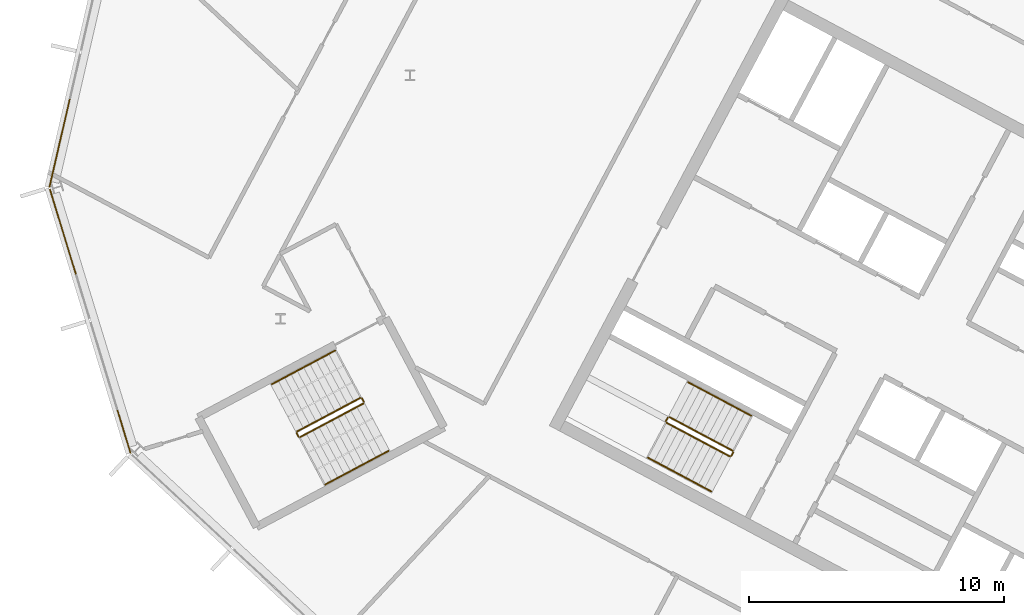
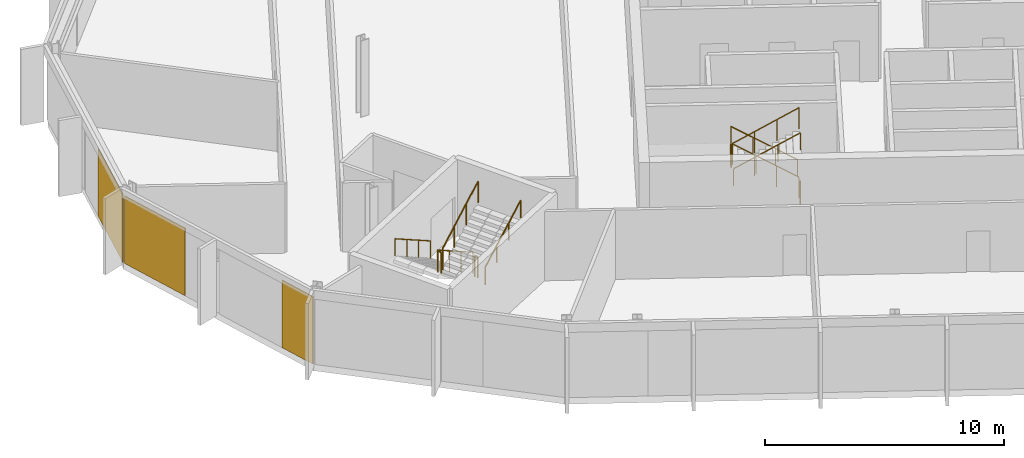
# One storey, part 20 of 25: 12 railings, 3 coverings, 2 elements without a shape of their own.
"""IFC4 building model written with IfcOpenShell, lengths in metres."""

from ifc_helpers import new_model, si_unit, direction, frame, origin, origin_2d, place, context, subcontext, project, spatial, polyline, rectangle, outline, extrude, material, layer, layer_set, type_object, element, aggregate, save


model = new_model("IFC4")

# Units and contexts
model_context = context("Model", 3, precision=1e-05, world=origin(), true_north=direction((0.0, 1.0)))
body_context = subcontext(model_context, "Body", "Model", "MODEL_VIEW")
ifc_project = project(units=[si_unit("LENGTHUNIT", "METRE"), si_unit("AREAUNIT", "SQUARE_METRE"), si_unit("VOLUMEUNIT", "CUBIC_METRE"), si_unit("PLANEANGLEUNIT", "RADIAN"), si_unit("MASSUNIT", "GRAM", prefix="KILO")], contexts=[model_context])

# Site, building, storey
site_placement = place(None, origin())
site = spatial("IfcSite", under=ifc_project, at=site_placement, CompositionType="ELEMENT")
building_placement = place(site_placement, origin())
building = spatial("IfcBuilding", under=site, at=building_placement, Name="Cormorant Relay Tower", CompositionType="ELEMENT")
storey_placement = place(building_placement, frame((0.0, 0.0, 265.800048828125)))
storey = spatial("IfcBuildingStorey", under=building, at=storey_placement, Name="L59", CompositionType="ELEMENT", Elevation=265.800048828125)

# Curtain wall, covering
ifc_material_1 = material(Name="Aluminium 6063-T6 anodised bronze", Category="aluminium")
ifc_layer_1 = layer(ifc_material_1, 0.199951171875)
ifc_layer_set_1 = layer_set([ifc_layer_1], Name="CW1 unitised bronze curtain wall with vertical fins")
curtain_wall_type = type_object("IfcCurtainWallType", Name="CW1 unitised bronze curtain wall with vertical fins", PredefinedType="NOTDEFINED", material=ifc_layer_set_1)
curtain_wall_1_placement = place(storey_placement, origin())
curtain_wall_1 = element("IfcCurtainWall", 1, at=curtain_wall_1_placement, inside=storey, type_object=curtain_wall_type, Name="CW1 curtain wall 13", PredefinedType="NOTDEFINED")
ifc_material_2 = material(Name="Pale bronze anodised aluminium insulated panel", Category="aluminium")
ifc_layer_2 = layer(ifc_material_2, 0.0400390625)
ifc_layer_set_2 = layer_set([ifc_layer_2], Name="CW1 pale bronze insulated panel 40")
covering_type = type_object("IfcCoveringType", Name="CW1 pale bronze insulated panel 40", PredefinedType="CLADDING", material=ifc_layer_set_2)
covering_1_placement = place(storey_placement, frame((-60.3388671875, 22.13232421875, 0.0), z_axis=(0.0, 0.0, 1.0), x_axis=(-0.224951054344, -0.974370064785, 0.0)))
covering_1 = element("IfcCovering", 2, at=covering_1_placement, type_object=covering_type, Name="CW1 panel S02", PredefinedType="CLADDING", context=body_context, shape_type="SweptSolid", body=[
    extrude(rectangle(XDim=3.560302734375, YDim=0.0400390625, at=origin_2d()), origin(), (0.0, 0.0, 1.0), 3.449951171875),
])
aggregate(curtain_wall_1, [covering_1])

# Curtain wall, coverings
curtain_wall_2_placement = place(storey_placement, origin())
curtain_wall_2 = element("IfcCurtainWall", 3, at=curtain_wall_2_placement, inside=storey, type_object=curtain_wall_type, Name="CW1 curtain wall 14", PredefinedType="NOTDEFINED")
covering_2_placement = place(storey_placement, frame((-60.20751953125, 18.6494140625, 0.0), z_axis=(0.0, 0.0, 1.0), x_axis=(0.292371704723, -0.956304755963, 0.0)))
covering_2 = element("IfcCovering", 4, at=covering_2_placement, type_object=covering_type, Name="CW1 panel S00", PredefinedType="CLADDING", context=body_context, shape_type="SweptSolid", body=[
    extrude(rectangle(XDim=3.485107421875, YDim=0.0400390625, at=origin_2d()), origin(), (0.0, 0.0, 1.0), 3.449951171875),
])
covering_3_placement = place(storey_placement, frame((-57.818115234375, 10.833740234375, 0.0), z_axis=(0.0, 0.0, 1.0), x_axis=(0.292371704723, -0.956304755963, 0.0)))
covering_3 = element("IfcCovering", 5, at=covering_3_placement, type_object=covering_type, Name="CW1 panel S03", PredefinedType="CLADDING", context=body_context, shape_type="SweptSolid", body=[
    extrude(rectangle(XDim=1.76025390625, YDim=0.0400390625, at=origin_2d()), origin(), (0.0, 0.0, 1.0), 3.449951171875),
])
aggregate(curtain_wall_2, [covering_2, covering_3])

# Railings
ifc_material_3 = material(Name="Steel ASTM A572 Grade 50 (Fy 345 MPa)", Category="steel")
railing_type_1 = type_object("IfcRailingType", Name="Stair guard 1100", PredefinedType="GUARDRAIL", material=ifc_material_3)
railing_1_placement = place(storey_placement, frame((-33.9921875, 10.08935546875, 0.17724609375)))
element("IfcRailing", 6, at=railing_1_placement, inside=storey, type_object=railing_type_1, Name="L59 A2 stair guard 1", PredefinedType="GUARDRAIL", context=body_context, shape_type="SweptSolid", body=[
    extrude(outline(polyline([(0.022216796875, 0.00927734375), (0.00927734375, 0.022216796875), (-0.00927734375, 0.022216796875), (-0.022216796875, 0.00927734375), (-0.022216796875, -0.00927734375), (-0.00927734375, -0.022216796875), (0.00927734375, -0.022216796875), (0.022216796875, -0.00927734375), (0.022216796875, 0.00927734375)])), frame((0.0, 0.0, 1.076171875), z_axis=(-0.746001213114, 0.396649272309, 0.534931345884), x_axis=(-0.469465464807, -0.882950835185, 0.0)), (0.0, 0.0, 1.0), 3.31396484375),
    extrude(outline(polyline([(0.019287109375, 0.008056640625), (0.008056640625, 0.019287109375), (-0.008056640625, 0.019287109375), (-0.019287109375, 0.008056640625), (-0.019287109375, -0.008056640625), (-0.008056640625, -0.019287109375), (0.008056640625, -0.019287109375), (0.019287109375, -0.008056640625), (0.019287109375, 0.008056640625)])), origin(), (0.0, 0.0, 1.0), 1.052001953125),
    extrude(outline(polyline([(0.019287109375, 0.008056640625), (0.008056640625, 0.019287109375), (-0.008056640625, 0.019287109375), (-0.019287109375, 0.008056640625), (-0.019287109375, -0.008056640625), (-0.008056640625, -0.019287109375), (0.008056640625, -0.019287109375), (0.019287109375, -0.008056640625), (0.019287109375, 0.008056640625)])), frame((-0.823974609375, 0.438232421875, 0.5908203125)), (0.0, 0.0, 1.0), 1.052001953125),
    extrude(outline(polyline([(0.019287109375, 0.008056640625), (0.008056640625, 0.019287109375), (-0.008056640625, 0.019287109375), (-0.019287109375, 0.008056640625), (-0.019287109375, -0.008056640625), (-0.008056640625, -0.019287109375), (0.008056640625, -0.019287109375), (0.019287109375, -0.008056640625), (0.019287109375, 0.008056640625)])), frame((-1.648193359375, 0.876220703125, 1.181884765625)), (0.0, 0.0, 1.0), 1.052001953125),
    extrude(outline(polyline([(0.019287109375, 0.008056640625), (0.008056640625, 0.019287109375), (-0.008056640625, 0.019287109375), (-0.019287109375, 0.008056640625), (-0.019287109375, -0.008056640625), (-0.008056640625, -0.019287109375), (0.008056640625, -0.019287109375), (0.019287109375, -0.008056640625), (0.019287109375, 0.008056640625)])), frame((-2.47216796875, 1.314453125, 1.772705078125)), (0.0, 0.0, 1.0), 1.052001953125),
])
railing_2_placement = place(storey_placement, frame((-36.531982421875, 11.38330078125, 1.949951171875)))
element("IfcRailing", 7, at=railing_2_placement, inside=storey, type_object=railing_type_1, Name="L59 A2 stair guard 2", PredefinedType="GUARDRAIL", context=body_context, shape_type="SweptSolid", body=[
    extrude(outline(polyline([(0.022216796875, 0.00927734375), (0.00927734375, 0.022216796875), (-0.00927734375, 0.022216796875), (-0.022216796875, 0.00927734375), (-0.022216796875, -0.00927734375), (-0.00927734375, -0.022216796875), (0.00927734375, -0.022216796875), (0.022216796875, -0.00927734375), (0.022216796875, 0.00927734375)])), frame((0.0, 0.0, 1.076171875), z_axis=(-0.469828648786, -0.882757634224, 0.0), x_axis=(0.882757634224, -0.469828648786, 0.0)), (0.0, 0.0, 1.0), 0.150146484375),
    extrude(outline(polyline([(0.019287109375, 0.008056640625), (0.008056640625, 0.019287109375), (-0.008056640625, 0.019287109375), (-0.019287109375, 0.008056640625), (-0.019287109375, -0.008056640625), (-0.008056640625, -0.019287109375), (0.008056640625, -0.019287109375), (0.019287109375, -0.008056640625), (0.019287109375, 0.008056640625)])), origin(), (0.0, 0.0, 1.0), 1.052001953125),
    extrude(outline(polyline([(0.019287109375, 0.008056640625), (0.008056640625, 0.019287109375), (-0.008056640625, 0.019287109375), (-0.019287109375, 0.008056640625), (-0.019287109375, -0.008056640625), (-0.008056640625, -0.019287109375), (0.008056640625, -0.019287109375), (0.019287109375, -0.008056640625), (0.019287109375, 0.008056640625)])), frame((-0.070556640625, -0.132568359375, 0.0)), (0.0, 0.0, 1.0), 1.052001953125),
])
railing_3_placement = place(storey_placement, frame((-36.581787109375, 11.18310546875, 2.127197265625)))
element("IfcRailing", 8, at=railing_3_placement, inside=storey, type_object=railing_type_1, Name="L59 A2 stair guard 3", PredefinedType="GUARDRAIL", context=body_context, shape_type="SweptSolid", body=[
    extrude(outline(polyline([(0.022216796875, 0.00927734375), (0.00927734375, 0.022216796875), (-0.00927734375, 0.022216796875), (-0.022216796875, 0.00927734375), (-0.022216796875, -0.00927734375), (-0.00927734375, -0.022216796875), (0.00927734375, -0.022216796875), (0.022216796875, -0.00927734375), (0.022216796875, 0.00927734375)])), frame((0.0, 0.0, 1.076171875), z_axis=(0.746001213114, -0.396649272309, 0.534931345884), x_axis=(0.469465464807, 0.882950835185, 0.0)), (0.0, 0.0, 1.0), 3.31396484375),
    extrude(outline(polyline([(0.019287109375, 0.008056640625), (0.008056640625, 0.019287109375), (-0.008056640625, 0.019287109375), (-0.019287109375, 0.008056640625), (-0.019287109375, -0.008056640625), (-0.008056640625, -0.019287109375), (0.008056640625, -0.019287109375), (0.019287109375, -0.008056640625), (0.019287109375, 0.008056640625)])), origin(), (0.0, 0.0, 1.0), 1.052001953125),
    extrude(outline(polyline([(0.019287109375, 0.008056640625), (0.008056640625, 0.019287109375), (-0.008056640625, 0.019287109375), (-0.019287109375, 0.008056640625), (-0.019287109375, -0.008056640625), (-0.008056640625, -0.019287109375), (0.008056640625, -0.019287109375), (0.019287109375, -0.008056640625), (0.019287109375, 0.008056640625)])), frame((0.823974609375, -0.438232421875, 0.5908203125)), (0.0, 0.0, 1.0), 1.052001953125),
    extrude(outline(polyline([(0.019287109375, 0.008056640625), (0.008056640625, 0.019287109375), (-0.008056640625, 0.019287109375), (-0.019287109375, 0.008056640625), (-0.019287109375, -0.008056640625), (-0.008056640625, -0.019287109375), (0.008056640625, -0.019287109375), (0.019287109375, -0.008056640625), (0.019287109375, 0.008056640625)])), frame((1.648193359375, -0.876220703125, 1.181884765625)), (0.0, 0.0, 1.0), 1.052001953125),
    extrude(outline(polyline([(0.019287109375, 0.008056640625), (0.008056640625, 0.019287109375), (-0.008056640625, 0.019287109375), (-0.019287109375, 0.008056640625), (-0.019287109375, -0.008056640625), (-0.008056640625, -0.019287109375), (0.008056640625, -0.019287109375), (0.019287109375, -0.008056640625), (0.019287109375, 0.008056640625)])), frame((2.47216796875, -1.314453125, 1.772705078125)), (0.0, 0.0, 1.0), 1.052001953125),
])
railing_4_placement = place(storey_placement, frame((-33.971435546875, 10.021728515625, 0.0)))
element("IfcRailing", 9, at=railing_4_placement, inside=storey, type_object=railing_type_1, Name="L59 A2 stair guard 4", PredefinedType="GUARDRAIL", context=body_context, shape_type="SweptSolid", body=[
    extrude(outline(polyline([(0.022216796875, 0.00927734375), (0.00927734375, 0.022216796875), (-0.00927734375, 0.022216796875), (-0.022216796875, 0.00927734375), (-0.022216796875, -0.00927734375), (-0.00927734375, -0.022216796875), (0.00927734375, -0.022216796875), (0.022216796875, -0.00927734375), (0.022216796875, 0.00927734375)])), frame((0.0, 0.0, 1.076171875), z_axis=(-0.470503732759, -0.882398003998, 0.0), x_axis=(0.882398003998, -0.470503732759, 0.0)), (0.0, 0.0, 1.0), 0.14990234375),
    extrude(outline(polyline([(0.019287109375, 0.008056640625), (0.008056640625, 0.019287109375), (-0.008056640625, 0.019287109375), (-0.019287109375, 0.008056640625), (-0.019287109375, -0.008056640625), (-0.008056640625, -0.019287109375), (0.008056640625, -0.019287109375), (0.019287109375, -0.008056640625), (0.019287109375, 0.008056640625)])), origin(), (0.0, 0.0, 1.0), 1.052001953125),
    extrude(outline(polyline([(0.019287109375, 0.008056640625), (0.008056640625, 0.019287109375), (-0.008056640625, 0.019287109375), (-0.019287109375, 0.008056640625), (-0.019287109375, -0.008056640625), (-0.008056640625, -0.019287109375), (0.008056640625, -0.019287109375), (0.019287109375, -0.008056640625), (0.019287109375, 0.008056640625)])), frame((-0.070556640625, -0.13232421875, 0.0)), (0.0, 0.0, 1.0), 1.052001953125),
])
railing_5_placement = place(storey_placement, frame((-48.5693359375, 12.155517578125, 0.17724609375)))
element("IfcRailing", 10, at=railing_5_placement, inside=storey, type_object=railing_type_1, Name="L59 RP1 stair guard 1", PredefinedType="GUARDRAIL", context=body_context, shape_type="SweptSolid", body=[
    extrude(outline(polyline([(0.022216796875, 0.00927734375), (0.00927734375, 0.022216796875), (-0.00927734375, 0.022216796875), (-0.022216796875, 0.00927734375), (-0.022216796875, -0.00927734375), (-0.00927734375, -0.022216796875), (0.00927734375, -0.022216796875), (0.022216796875, -0.00927734375), (0.022216796875, 0.00927734375)])), frame((0.0, 0.0, 1.076171875), z_axis=(-0.746012083385, -0.396689549623, 0.534886317514), x_axis=(0.469497295046, -0.882933910293, 0.0)), (0.0, 0.0, 1.0), 3.314208984375),
    extrude(outline(polyline([(0.019287109375, 0.008056640625), (0.008056640625, 0.019287109375), (-0.008056640625, 0.019287109375), (-0.019287109375, 0.008056640625), (-0.019287109375, -0.008056640625), (-0.008056640625, -0.019287109375), (0.008056640625, -0.019287109375), (0.019287109375, -0.008056640625), (0.019287109375, 0.008056640625)])), origin(), (0.0, 0.0, 1.0), 1.052001953125),
    extrude(outline(polyline([(0.019287109375, 0.008056640625), (0.008056640625, 0.019287109375), (-0.008056640625, 0.019287109375), (-0.019287109375, 0.008056640625), (-0.019287109375, -0.008056640625), (-0.008056640625, -0.019287109375), (0.008056640625, -0.019287109375), (0.019287109375, -0.008056640625), (0.019287109375, 0.008056640625)])), frame((-0.82421875, -0.438232421875, 0.5908203125)), (0.0, 0.0, 1.0), 1.052001953125),
    extrude(outline(polyline([(0.019287109375, 0.008056640625), (0.008056640625, 0.019287109375), (-0.008056640625, 0.019287109375), (-0.019287109375, 0.008056640625), (-0.019287109375, -0.008056640625), (-0.008056640625, -0.019287109375), (0.008056640625, -0.019287109375), (0.019287109375, -0.008056640625), (0.019287109375, 0.008056640625)])), frame((-1.648193359375, -0.87646484375, 1.181884765625)), (0.0, 0.0, 1.0), 1.052001953125),
    extrude(outline(polyline([(0.019287109375, 0.008056640625), (0.008056640625, 0.019287109375), (-0.008056640625, 0.019287109375), (-0.019287109375, 0.008056640625), (-0.019287109375, -0.008056640625), (-0.008056640625, -0.019287109375), (0.008056640625, -0.019287109375), (0.019287109375, -0.008056640625), (0.019287109375, 0.008056640625)])), frame((-2.472412109375, -1.314697265625, 1.772705078125)), (0.0, 0.0, 1.0), 1.052001953125),
])
railing_6_placement = place(storey_placement, frame((-51.062255859375, 10.773193359375, 1.949951171875)))
element("IfcRailing", 11, at=railing_6_placement, inside=storey, type_object=railing_type_1, Name="L59 RP1 stair guard 2", PredefinedType="GUARDRAIL", context=body_context, shape_type="SweptSolid", body=[
    extrude(outline(polyline([(0.022216796875, 0.00927734375), (0.00927734375, 0.022216796875), (-0.00927734375, 0.022216796875), (-0.022216796875, 0.00927734375), (-0.022216796875, -0.00927734375), (-0.00927734375, -0.022216796875), (0.00927734375, -0.022216796875), (0.022216796875, -0.00927734375), (0.022216796875, 0.00927734375)])), frame((0.0, 0.0, 1.076171875), z_axis=(0.469234640946, -0.883073525669, 0.0), x_axis=(0.883073525669, 0.469234640946, 0.0)), (0.0, 0.0, 1.0), 0.14990234375),
    extrude(outline(polyline([(0.019287109375, 0.008056640625), (0.008056640625, 0.019287109375), (-0.008056640625, 0.019287109375), (-0.019287109375, 0.008056640625), (-0.019287109375, -0.008056640625), (-0.008056640625, -0.019287109375), (0.008056640625, -0.019287109375), (0.019287109375, -0.008056640625), (0.019287109375, 0.008056640625)])), origin(), (0.0, 0.0, 1.0), 1.052001953125),
    extrude(outline(polyline([(0.019287109375, 0.008056640625), (0.008056640625, 0.019287109375), (-0.008056640625, 0.019287109375), (-0.019287109375, 0.008056640625), (-0.019287109375, -0.008056640625), (-0.008056640625, -0.019287109375), (0.008056640625, -0.019287109375), (0.019287109375, -0.008056640625), (0.019287109375, 0.008056640625)])), frame((0.0703125, -0.13232421875, 0.0)), (0.0, 0.0, 1.0), 1.052001953125),
])
railing_7_placement = place(storey_placement, frame((-50.92431640625, 10.6201171875, 2.127197265625)))
element("IfcRailing", 12, at=railing_7_placement, inside=storey, type_object=railing_type_1, Name="L59 RP1 stair guard 3", PredefinedType="GUARDRAIL", context=body_context, shape_type="SweptSolid", body=[
    extrude(outline(polyline([(0.022216796875, 0.00927734375), (0.00927734375, 0.022216796875), (-0.00927734375, 0.022216796875), (-0.022216796875, 0.00927734375), (-0.022216796875, -0.00927734375), (-0.00927734375, -0.022216796875), (0.00927734375, -0.022216796875), (0.022216796875, -0.00927734375), (0.022216796875, 0.00927734375)])), frame((0.0, 0.0, 1.076171875), z_axis=(0.746033882577, 0.396627473466, 0.534901947407), x_axis=(-0.469429322983, 0.882970050864, 0.0)), (0.0, 0.0, 1.0), 3.31396484375),
    extrude(outline(polyline([(0.019287109375, 0.008056640625), (0.008056640625, 0.019287109375), (-0.008056640625, 0.019287109375), (-0.019287109375, 0.008056640625), (-0.019287109375, -0.008056640625), (-0.008056640625, -0.019287109375), (0.008056640625, -0.019287109375), (0.019287109375, -0.008056640625), (0.019287109375, 0.008056640625)])), origin(), (0.0, 0.0, 1.0), 1.052001953125),
    extrude(outline(polyline([(0.019287109375, 0.008056640625), (0.008056640625, 0.019287109375), (-0.008056640625, 0.019287109375), (-0.019287109375, 0.008056640625), (-0.019287109375, -0.008056640625), (-0.008056640625, -0.019287109375), (0.008056640625, -0.019287109375), (0.019287109375, -0.008056640625), (0.019287109375, 0.008056640625)])), frame((0.82421875, 0.438232421875, 0.5908203125)), (0.0, 0.0, 1.0), 1.052001953125),
    extrude(outline(polyline([(0.019287109375, 0.008056640625), (0.008056640625, 0.019287109375), (-0.008056640625, 0.019287109375), (-0.019287109375, 0.008056640625), (-0.019287109375, -0.008056640625), (-0.008056640625, -0.019287109375), (0.008056640625, -0.019287109375), (0.019287109375, -0.008056640625), (0.019287109375, 0.008056640625)])), frame((1.648193359375, 0.876220703125, 1.181884765625)), (0.0, 0.0, 1.0), 1.052001953125),
    extrude(outline(polyline([(0.019287109375, 0.008056640625), (0.008056640625, 0.019287109375), (-0.008056640625, 0.019287109375), (-0.019287109375, 0.008056640625), (-0.019287109375, -0.008056640625), (-0.008056640625, -0.019287109375), (0.008056640625, -0.019287109375), (0.019287109375, -0.008056640625), (0.019287109375, 0.008056640625)])), frame((2.472412109375, 1.314453125, 1.772705078125)), (0.0, 0.0, 1.0), 1.052001953125),
])
railing_8_placement = place(storey_placement, frame((-48.501708984375, 12.134765625, 0.0)))
element("IfcRailing", 13, at=railing_8_placement, inside=storey, type_object=railing_type_1, Name="L59 RP1 stair guard 4", PredefinedType="GUARDRAIL", context=body_context, shape_type="SweptSolid", body=[
    extrude(outline(polyline([(0.022216796875, 0.00927734375), (0.00927734375, 0.022216796875), (-0.00927734375, 0.022216796875), (-0.022216796875, 0.00927734375), (-0.022216796875, -0.00927734375), (-0.00927734375, -0.022216796875), (0.00927734375, -0.022216796875), (0.022216796875, -0.00927734375), (0.022216796875, 0.00927734375)])), frame((0.0, 0.0, 1.076171875), z_axis=(0.46856034887, -0.8834314911, 0.0), x_axis=(0.8834314911, 0.46856034887, 0.0)), (0.0, 0.0, 1.0), 0.150146484375),
    extrude(outline(polyline([(0.019287109375, 0.008056640625), (0.008056640625, 0.019287109375), (-0.008056640625, 0.019287109375), (-0.019287109375, 0.008056640625), (-0.019287109375, -0.008056640625), (-0.008056640625, -0.019287109375), (0.008056640625, -0.019287109375), (0.019287109375, -0.008056640625), (0.019287109375, 0.008056640625)])), origin(), (0.0, 0.0, 1.0), 1.052001953125),
    extrude(outline(polyline([(0.019287109375, 0.008056640625), (0.008056640625, 0.019287109375), (-0.008056640625, 0.019287109375), (-0.019287109375, 0.008056640625), (-0.019287109375, -0.008056640625), (-0.008056640625, -0.019287109375), (0.008056640625, -0.019287109375), (0.019287109375, -0.008056640625), (0.019287109375, 0.008056640625)])), frame((0.0703125, -0.132568359375, 0.0)), (0.0, 0.0, 1.0), 1.052001953125),
])
ifc_material_4 = material(Name="Steel ASTM A572 Grade 50 (Fy 345 MPa)", Category="steel")
railing_type_2 = type_object("IfcRailingType", Name="Stair handrail 900", PredefinedType="HANDRAIL", material=ifc_material_4)
railing_9_placement = place(storey_placement, frame((-33.264404296875, 11.4580078125, 0.17724609375)))
element("IfcRailing", 14, at=railing_9_placement, inside=storey, type_object=railing_type_2, Name="L59 A2 stair handrail 1", PredefinedType="HANDRAIL", context=body_context, shape_type="SweptSolid", body=[
    extrude(outline(polyline([(0.022216796875, 0.00927734375), (0.00927734375, 0.022216796875), (-0.00927734375, 0.022216796875), (-0.022216796875, 0.00927734375), (-0.022216796875, -0.00927734375), (-0.00927734375, -0.022216796875), (0.00927734375, -0.022216796875), (0.022216796875, -0.00927734375), (0.022216796875, 0.00927734375)])), frame((0.0, 0.0, 0.8759765625), z_axis=(-0.746033882577, 0.396627473466, 0.534901947407), x_axis=(-0.469429322983, -0.882970050864, 0.0)), (0.0, 0.0, 1.0), 3.31396484375),
    extrude(outline(polyline([(0.019287109375, 0.008056640625), (0.008056640625, 0.019287109375), (-0.008056640625, 0.019287109375), (-0.019287109375, 0.008056640625), (-0.019287109375, -0.008056640625), (-0.008056640625, -0.019287109375), (0.008056640625, -0.019287109375), (0.019287109375, -0.008056640625), (0.019287109375, 0.008056640625)])), origin(), (0.0, 0.0, 1.0), 0.851806640625),
    extrude(outline(polyline([(0.019287109375, 0.008056640625), (0.008056640625, 0.019287109375), (-0.008056640625, 0.019287109375), (-0.019287109375, 0.008056640625), (-0.019287109375, -0.008056640625), (-0.008056640625, -0.019287109375), (0.008056640625, -0.019287109375), (0.019287109375, -0.008056640625), (0.019287109375, 0.008056640625)])), frame((-0.82421875, 0.438232421875, 0.5908203125)), (0.0, 0.0, 1.0), 0.851806640625),
    extrude(outline(polyline([(0.019287109375, 0.008056640625), (0.008056640625, 0.019287109375), (-0.008056640625, 0.019287109375), (-0.019287109375, 0.008056640625), (-0.019287109375, -0.008056640625), (-0.008056640625, -0.019287109375), (0.008056640625, -0.019287109375), (0.019287109375, -0.008056640625), (0.019287109375, 0.008056640625)])), frame((-1.648193359375, 0.876220703125, 1.181884765625)), (0.0, 0.0, 1.0), 0.851806640625),
    extrude(outline(polyline([(0.019287109375, 0.008056640625), (0.008056640625, 0.019287109375), (-0.008056640625, 0.019287109375), (-0.019287109375, 0.008056640625), (-0.019287109375, -0.008056640625), (-0.008056640625, -0.019287109375), (0.008056640625, -0.019287109375), (0.019287109375, -0.008056640625), (0.019287109375, 0.008056640625)])), frame((-2.472412109375, 1.314453125, 1.772705078125)), (0.0, 0.0, 1.0), 0.851806640625),
])
railing_10_placement = place(storey_placement, frame((-37.3095703125, 9.814453125, 2.127197265625)))
element("IfcRailing", 15, at=railing_10_placement, inside=storey, type_object=railing_type_2, Name="L59 A2 stair handrail 2", PredefinedType="HANDRAIL", context=body_context, shape_type="SweptSolid", body=[
    extrude(outline(polyline([(0.022216796875, 0.00927734375), (0.00927734375, 0.022216796875), (-0.00927734375, 0.022216796875), (-0.022216796875, 0.00927734375), (-0.022216796875, -0.00927734375), (-0.00927734375, -0.022216796875), (0.00927734375, -0.022216796875), (0.022216796875, -0.00927734375), (0.022216796875, 0.00927734375)])), frame((0.0, 0.0, 0.8759765625), z_axis=(0.746033882577, -0.396627473466, 0.534901947407), x_axis=(0.469429322983, 0.882970050864, 0.0)), (0.0, 0.0, 1.0), 3.31396484375),
    extrude(outline(polyline([(0.019287109375, 0.008056640625), (0.008056640625, 0.019287109375), (-0.008056640625, 0.019287109375), (-0.019287109375, 0.008056640625), (-0.019287109375, -0.008056640625), (-0.008056640625, -0.019287109375), (0.008056640625, -0.019287109375), (0.019287109375, -0.008056640625), (0.019287109375, 0.008056640625)])), origin(), (0.0, 0.0, 1.0), 0.851806640625),
    extrude(outline(polyline([(0.019287109375, 0.008056640625), (0.008056640625, 0.019287109375), (-0.008056640625, 0.019287109375), (-0.019287109375, 0.008056640625), (-0.019287109375, -0.008056640625), (-0.008056640625, -0.019287109375), (0.008056640625, -0.019287109375), (0.019287109375, -0.008056640625), (0.019287109375, 0.008056640625)])), frame((0.82421875, -0.438232421875, 0.5908203125)), (0.0, 0.0, 1.0), 0.851806640625),
    extrude(outline(polyline([(0.019287109375, 0.008056640625), (0.008056640625, 0.019287109375), (-0.008056640625, 0.019287109375), (-0.019287109375, 0.008056640625), (-0.019287109375, -0.008056640625), (-0.008056640625, -0.019287109375), (0.008056640625, -0.019287109375), (0.019287109375, -0.008056640625), (0.019287109375, 0.008056640625)])), frame((1.648193359375, -0.876220703125, 1.181884765625)), (0.0, 0.0, 1.0), 0.851806640625),
    extrude(outline(polyline([(0.019287109375, 0.008056640625), (0.008056640625, 0.019287109375), (-0.008056640625, 0.019287109375), (-0.019287109375, 0.008056640625), (-0.019287109375, -0.008056640625), (-0.008056640625, -0.019287109375), (0.008056640625, -0.019287109375), (0.019287109375, -0.008056640625), (0.019287109375, 0.008056640625)])), frame((2.472412109375, -1.314453125, 1.772705078125)), (0.0, 0.0, 1.0), 0.851806640625),
])
railing_11_placement = place(storey_placement, frame((-49.55517578125, 14.009521484375, 0.17724609375)))
element("IfcRailing", 16, at=railing_11_placement, inside=storey, type_object=railing_type_2, Name="L59 RP1 stair handrail 1", PredefinedType="HANDRAIL", context=body_context, shape_type="SweptSolid", body=[
    extrude(outline(polyline([(0.022216796875, 0.00927734375), (0.00927734375, 0.022216796875), (-0.00927734375, 0.022216796875), (-0.022216796875, 0.00927734375), (-0.022216796875, -0.00927734375), (-0.00927734375, -0.022216796875), (0.00927734375, -0.022216796875), (0.022216796875, -0.00927734375), (0.022216796875, 0.00927734375)])), frame((0.0, 0.0, 0.8759765625), z_axis=(-0.746033882577, -0.396627473466, 0.534901947407), x_axis=(0.469429322983, -0.882970050864, 0.0)), (0.0, 0.0, 1.0), 3.31396484375),
    extrude(outline(polyline([(0.019287109375, 0.008056640625), (0.008056640625, 0.019287109375), (-0.008056640625, 0.019287109375), (-0.019287109375, 0.008056640625), (-0.019287109375, -0.008056640625), (-0.008056640625, -0.019287109375), (0.008056640625, -0.019287109375), (0.019287109375, -0.008056640625), (0.019287109375, 0.008056640625)])), origin(), (0.0, 0.0, 1.0), 0.851806640625),
    extrude(outline(polyline([(0.019287109375, 0.008056640625), (0.008056640625, 0.019287109375), (-0.008056640625, 0.019287109375), (-0.019287109375, 0.008056640625), (-0.019287109375, -0.008056640625), (-0.008056640625, -0.019287109375), (0.008056640625, -0.019287109375), (0.019287109375, -0.008056640625), (0.019287109375, 0.008056640625)])), frame((-0.82421875, -0.438232421875, 0.5908203125)), (0.0, 0.0, 1.0), 0.851806640625),
    extrude(outline(polyline([(0.019287109375, 0.008056640625), (0.008056640625, 0.019287109375), (-0.008056640625, 0.019287109375), (-0.019287109375, 0.008056640625), (-0.019287109375, -0.008056640625), (-0.008056640625, -0.019287109375), (0.008056640625, -0.019287109375), (0.019287109375, -0.008056640625), (0.019287109375, 0.008056640625)])), frame((-1.648193359375, -0.876220703125, 1.181884765625)), (0.0, 0.0, 1.0), 0.851806640625),
    extrude(outline(polyline([(0.019287109375, 0.008056640625), (0.008056640625, 0.019287109375), (-0.008056640625, 0.019287109375), (-0.019287109375, 0.008056640625), (-0.019287109375, -0.008056640625), (-0.008056640625, -0.019287109375), (0.008056640625, -0.019287109375), (0.019287109375, -0.008056640625), (0.019287109375, 0.008056640625)])), frame((-2.472412109375, -1.314453125, 1.772705078125)), (0.0, 0.0, 1.0), 0.851806640625),
])
railing_12_placement = place(storey_placement, frame((-49.9384765625, 8.765869140625, 2.127197265625)))
element("IfcRailing", 17, at=railing_12_placement, inside=storey, type_object=railing_type_2, Name="L59 RP1 stair handrail 2", PredefinedType="HANDRAIL", context=body_context, shape_type="SweptSolid", body=[
    extrude(outline(polyline([(0.022216796875, 0.00927734375), (0.00927734375, 0.022216796875), (-0.00927734375, 0.022216796875), (-0.022216796875, 0.00927734375), (-0.022216796875, -0.00927734375), (-0.00927734375, -0.022216796875), (0.00927734375, -0.022216796875), (0.022216796875, -0.00927734375), (0.022216796875, 0.00927734375)])), frame((0.0, 0.0, 0.8759765625), z_axis=(0.746012083385, 0.396689549623, 0.534886317514), x_axis=(-0.469497295046, 0.882933910293, 0.0)), (0.0, 0.0, 1.0), 3.314208984375),
    extrude(outline(polyline([(0.019287109375, 0.008056640625), (0.008056640625, 0.019287109375), (-0.008056640625, 0.019287109375), (-0.019287109375, 0.008056640625), (-0.019287109375, -0.008056640625), (-0.008056640625, -0.019287109375), (0.008056640625, -0.019287109375), (0.019287109375, -0.008056640625), (0.019287109375, 0.008056640625)])), origin(), (0.0, 0.0, 1.0), 0.851806640625),
    extrude(outline(polyline([(0.019287109375, 0.008056640625), (0.008056640625, 0.019287109375), (-0.008056640625, 0.019287109375), (-0.019287109375, 0.008056640625), (-0.019287109375, -0.008056640625), (-0.008056640625, -0.019287109375), (0.008056640625, -0.019287109375), (0.019287109375, -0.008056640625), (0.019287109375, 0.008056640625)])), frame((0.82421875, 0.438232421875, 0.5908203125)), (0.0, 0.0, 1.0), 0.851806640625),
    extrude(outline(polyline([(0.019287109375, 0.008056640625), (0.008056640625, 0.019287109375), (-0.008056640625, 0.019287109375), (-0.019287109375, 0.008056640625), (-0.019287109375, -0.008056640625), (-0.008056640625, -0.019287109375), (0.008056640625, -0.019287109375), (0.019287109375, -0.008056640625), (0.019287109375, 0.008056640625)])), frame((1.648193359375, 0.87646484375, 1.181884765625)), (0.0, 0.0, 1.0), 0.851806640625),
    extrude(outline(polyline([(0.019287109375, 0.008056640625), (0.008056640625, 0.019287109375), (-0.008056640625, 0.019287109375), (-0.019287109375, 0.008056640625), (-0.019287109375, -0.008056640625), (-0.008056640625, -0.019287109375), (0.008056640625, -0.019287109375), (0.019287109375, -0.008056640625), (0.019287109375, 0.008056640625)])), frame((2.472412109375, 1.314697265625, 1.772705078125)), (0.0, 0.0, 1.0), 0.851806640625),
])

save(model, "model.ifc")
